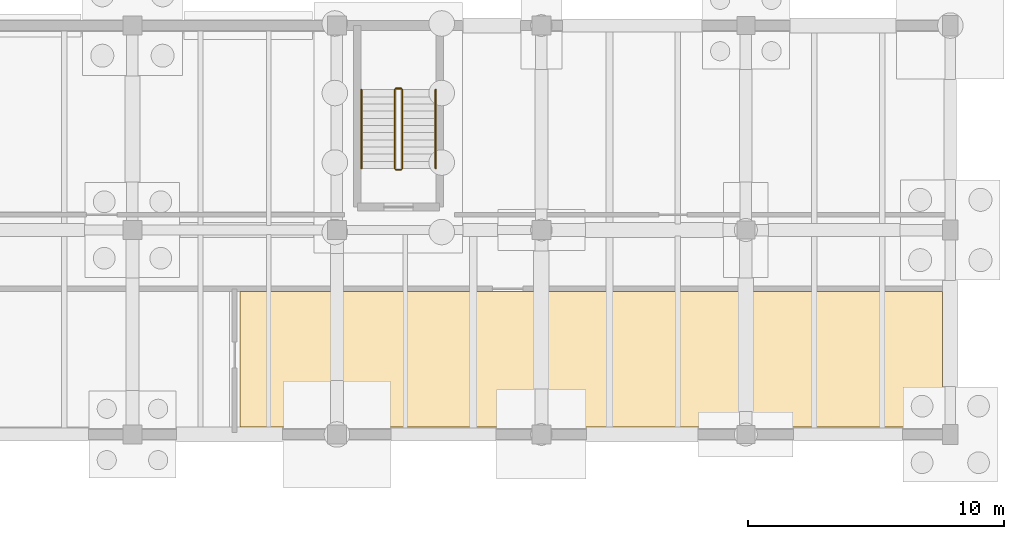
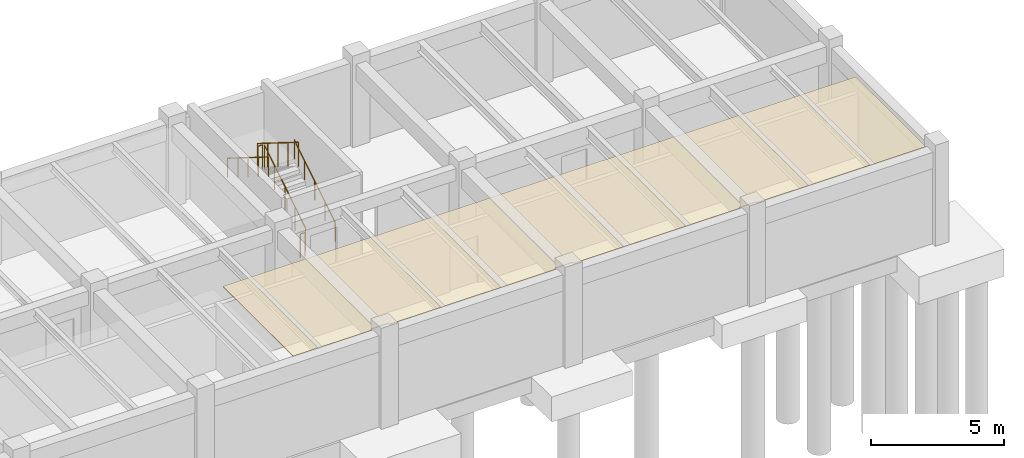
# One storey, part 24 of 25: 6 railings, 1 covering.
"""IFC4 building model written with IfcOpenShell, lengths in metres."""

from ifc_helpers import new_model, si_unit, direction, frame, origin, origin_2d, place, context, subcontext, project, spatial, polyline, circle, outline, extrude, material, layer, layer_set, type_object, element, save


model = new_model("IFC4")

# Units and contexts
model_context = context("Model", 3, precision=1e-05, world=origin(), true_north=direction((0.0, 1.0)))
body_context = subcontext(model_context, "Body", "Model", "MODEL_VIEW")
ifc_project = project(units=[si_unit("LENGTHUNIT", "METRE"), si_unit("AREAUNIT", "SQUARE_METRE"), si_unit("VOLUMEUNIT", "CUBIC_METRE"), si_unit("PLANEANGLEUNIT", "RADIAN"), si_unit("MASSUNIT", "GRAM", prefix="KILO")], contexts=[model_context])

# Site, building, storey
site_placement = place(None, origin())
site = spatial("IfcSite", under=ifc_project, at=site_placement, CompositionType="ELEMENT")
building_placement = place(site_placement, origin())
building = spatial("IfcBuilding", under=site, at=building_placement, Name="Tlaxcora Railside Police Headquarters", CompositionType="ELEMENT")
storey_placement = place(building_placement, frame((0.0, 0.0, -4.199951171875)))
storey = spatial("IfcBuildingStorey", under=building, at=storey_placement, Name="B1", CompositionType="ELEMENT", Elevation=-4.199951171875)

# Covering
ifc_material_1 = material(Name="Mineral-fibre acoustic ceiling tile")
ifc_layer = layer(ifc_material_1, 0.034912109375, Name="Mineral-fibre acoustic ceiling tile")
ifc_layer_set = layer_set([ifc_layer], Name="Mineral-fibre acoustic ceiling tile")
covering_type = type_object("IfcCoveringType", Name="Acoustic Suspended Ceiling CLG-01", PredefinedType="CEILING", material=ifc_layer_set)
covering_placement = place(storey_placement, frame((0.0, 0.0, 3.68505859375)))
element("IfcCovering", 1, at=covering_placement, inside=storey, type_object=covering_type, Name="Cold-Case DNA and Refrigerated Biobank Vault suspended ceiling", PredefinedType="CEILING", context=body_context, shape_type="SweptSolid", body=[
    extrude(outline(polyline([(143.18505859375, 77.18505859375), (143.18505859375, 77.10009765625), (150.43994140625, 77.10009765625), (150.43994140625, 77.159912109375), (151.159912109375, 77.159912109375), (151.159912109375, 77.10009765625), (158.489990234375, 77.10009765625), (158.489990234375, 77.2099609375), (158.5, 77.2099609375), (158.5, 82.39990234375), (131.0, 82.39990234375), (131.0, 77.10009765625), (134.4150390625, 77.10009765625), (134.4150390625, 77.18505859375), (135.18505859375, 77.18505859375), (135.18505859375, 77.10009765625), (142.4150390625, 77.10009765625), (142.4150390625, 77.18505859375), (143.18505859375, 77.18505859375)])), origin(), (0.0, 0.0, 1.0), 0.034912109375),
])

# Railings
ifc_material_2 = material(Name="Steel ASTM A992 Grade 50", Category="steel")
railing_type_1 = type_object("IfcRailingType", Name="Stair Well Guard Balustrade GR-02", PredefinedType="BALUSTRADE", material=ifc_material_2)
railing_1_placement = place(storey_placement, frame((137.360107421875, 87.2099609375, 0.175048828125)))
element("IfcRailing", 2, at=railing_1_placement, inside=storey, type_object=railing_type_1, Name="B1 ST8 stair guard 1", PredefinedType="BALUSTRADE", context=body_context, shape_type="SweptSolid", body=[
    extrude(circle(Radius=0.02392578125, at=origin_2d()), frame((0.0, 0.0, 1.09619140625), z_axis=(0.0, 0.848028513186, 0.529950602248), x_axis=(-1.0, 0.0, 0.0)), (0.0, 0.0, 1.0), 3.632080078125),
    extrude(circle(Radius=0.02099609375, at=origin_2d()), origin(), (0.0, 0.0, 1.0), 1.072021484375),
    extrude(circle(Radius=0.02099609375, at=origin_2d()), frame((0.0, 0.77001953125, 0.481201171875)), (0.0, 0.0, 1.0), 1.072021484375),
    extrude(circle(Radius=0.02099609375, at=origin_2d()), frame((0.0, 1.5400390625, 0.96240234375)), (0.0, 0.0, 1.0), 1.072021484375),
    extrude(circle(Radius=0.02099609375, at=origin_2d()), frame((0.0, 2.31005859375, 1.443603515625)), (0.0, 0.0, 1.0), 1.072021484375),
    extrude(circle(Radius=0.02099609375, at=origin_2d()), frame((0.0, 3.080078125, 1.9248046875)), (0.0, 0.0, 1.0), 1.072021484375),
])
railing_2_placement = place(storey_placement, frame((137.31005859375, 90.340087890625, 2.099853515625)))
element("IfcRailing", 3, at=railing_2_placement, inside=storey, type_object=railing_type_1, Name="B1 ST8 stair guard 2", PredefinedType="BALUSTRADE", context=body_context, shape_type="SweptSolid", body=[
    extrude(circle(Radius=0.02392578125, at=origin_2d()), frame((0.0, 0.0, 1.09619140625), z_axis=(-1.0, 0.0, 0.0), x_axis=(0.0, -1.0, 0.0)), (0.0, 0.0, 1.0), 0.199951171875),
    extrude(circle(Radius=0.02099609375, at=origin_2d()), origin(), (0.0, 0.0, 1.0), 1.072021484375),
    extrude(circle(Radius=0.02099609375, at=origin_2d()), frame((-0.199951171875, 0.0, 0.0)), (0.0, 0.0, 1.0), 1.072021484375),
])
railing_3_placement = place(storey_placement, frame((137.06005859375, 90.2900390625, 2.27490234375)))
element("IfcRailing", 4, at=railing_3_placement, inside=storey, type_object=railing_type_1, Name="B1 ST8 stair guard 3", PredefinedType="BALUSTRADE", context=body_context, shape_type="SweptSolid", body=[
    extrude(circle(Radius=0.02392578125, at=origin_2d()), frame((0.0, 0.0, 1.09619140625), z_axis=(0.0, -0.847998304005, 0.529998940003), x_axis=(1.0, 0.0, 0.0)), (0.0, 0.0, 1.0), 3.632080078125),
    extrude(circle(Radius=0.02099609375, at=origin_2d()), origin(), (0.0, 0.0, 1.0), 1.072021484375),
    extrude(circle(Radius=0.02099609375, at=origin_2d()), frame((0.0, -0.77001953125, 0.481201171875)), (0.0, 0.0, 1.0), 1.072021484375),
    extrude(circle(Radius=0.02099609375, at=origin_2d()), frame((0.0, -1.5400390625, 0.96240234375)), (0.0, 0.0, 1.0), 1.072021484375),
    extrude(circle(Radius=0.02099609375, at=origin_2d()), frame((0.0, -2.31005859375, 1.44384765625)), (0.0, 0.0, 1.0), 1.072021484375),
    extrude(circle(Radius=0.02099609375, at=origin_2d()), frame((0.0, -3.080078125, 1.925048828125)), (0.0, 0.0, 1.0), 1.072021484375),
])
railing_4_placement = place(storey_placement, frame((137.31005859375, 87.159912109375, 0.0)))
element("IfcRailing", 5, at=railing_4_placement, inside=storey, type_object=railing_type_1, Name="B1 ST8 stair guard 4", PredefinedType="BALUSTRADE", context=body_context, shape_type="SweptSolid", body=[
    extrude(circle(Radius=0.02392578125, at=origin_2d()), frame((0.0, 0.0, 1.09619140625), z_axis=(-1.0, 0.0, 0.0), x_axis=(0.0, -1.0, 0.0)), (0.0, 0.0, 1.0), 0.199951171875),
    extrude(circle(Radius=0.02099609375, at=origin_2d()), origin(), (0.0, 0.0, 1.0), 1.072021484375),
    extrude(circle(Radius=0.02099609375, at=origin_2d()), frame((-0.199951171875, 0.0, 0.0)), (0.0, 0.0, 1.0), 1.072021484375),
])
railing_type_2 = type_object("IfcRailingType", Name="Stair and Ramp Handrail HR-01", PredefinedType="HANDRAIL", material=ifc_material_2)
railing_5_placement = place(storey_placement, frame((138.659912109375, 87.2099609375, 0.175048828125)))
element("IfcRailing", 6, at=railing_5_placement, inside=storey, type_object=railing_type_2, Name="B1 ST8 stair handrail 1", PredefinedType="HANDRAIL", context=body_context, shape_type="SweptSolid", body=[
    extrude(circle(Radius=0.02392578125, at=origin_2d()), frame((0.0, 0.0, 0.8759765625), z_axis=(0.0, 0.848028513186, 0.529950602248), x_axis=(-1.0, 0.0, 0.0)), (0.0, 0.0, 1.0), 3.632080078125),
    extrude(circle(Radius=0.02099609375, at=origin_2d()), origin(), (0.0, 0.0, 1.0), 0.851806640625),
    extrude(circle(Radius=0.02099609375, at=origin_2d()), frame((0.0, 0.77001953125, 0.481201171875)), (0.0, 0.0, 1.0), 0.851806640625),
    extrude(circle(Radius=0.02099609375, at=origin_2d()), frame((0.0, 1.5400390625, 0.96240234375)), (0.0, 0.0, 1.0), 0.851806640625),
    extrude(circle(Radius=0.02099609375, at=origin_2d()), frame((0.0, 2.31005859375, 1.443603515625)), (0.0, 0.0, 1.0), 0.851806640625),
    extrude(circle(Radius=0.02099609375, at=origin_2d()), frame((0.0, 3.080078125, 1.9248046875)), (0.0, 0.0, 1.0), 0.851806640625),
])
railing_6_placement = place(storey_placement, frame((135.760009765625, 90.2900390625, 2.27490234375)))
element("IfcRailing", 7, at=railing_6_placement, inside=storey, type_object=railing_type_2, Name="B1 ST8 stair handrail 2", PredefinedType="HANDRAIL", context=body_context, shape_type="SweptSolid", body=[
    extrude(circle(Radius=0.02392578125, at=origin_2d()), frame((0.0, 0.0, 0.8759765625), z_axis=(0.0, -0.847998304005, 0.529998940003), x_axis=(1.0, 0.0, 0.0)), (0.0, 0.0, 1.0), 3.632080078125),
    extrude(circle(Radius=0.02099609375, at=origin_2d()), origin(), (0.0, 0.0, 1.0), 0.851806640625),
    extrude(circle(Radius=0.02099609375, at=origin_2d()), frame((0.0, -0.77001953125, 0.481201171875)), (0.0, 0.0, 1.0), 0.851806640625),
    extrude(circle(Radius=0.02099609375, at=origin_2d()), frame((0.0, -1.5400390625, 0.96240234375)), (0.0, 0.0, 1.0), 0.851806640625),
    extrude(circle(Radius=0.02099609375, at=origin_2d()), frame((0.0, -2.31005859375, 1.44384765625)), (0.0, 0.0, 1.0), 0.851806640625),
    extrude(circle(Radius=0.02099609375, at=origin_2d()), frame((0.0, -3.080078125, 1.925048828125)), (0.0, 0.0, 1.0), 0.851806640625),
])

save(model, "model.ifc")
